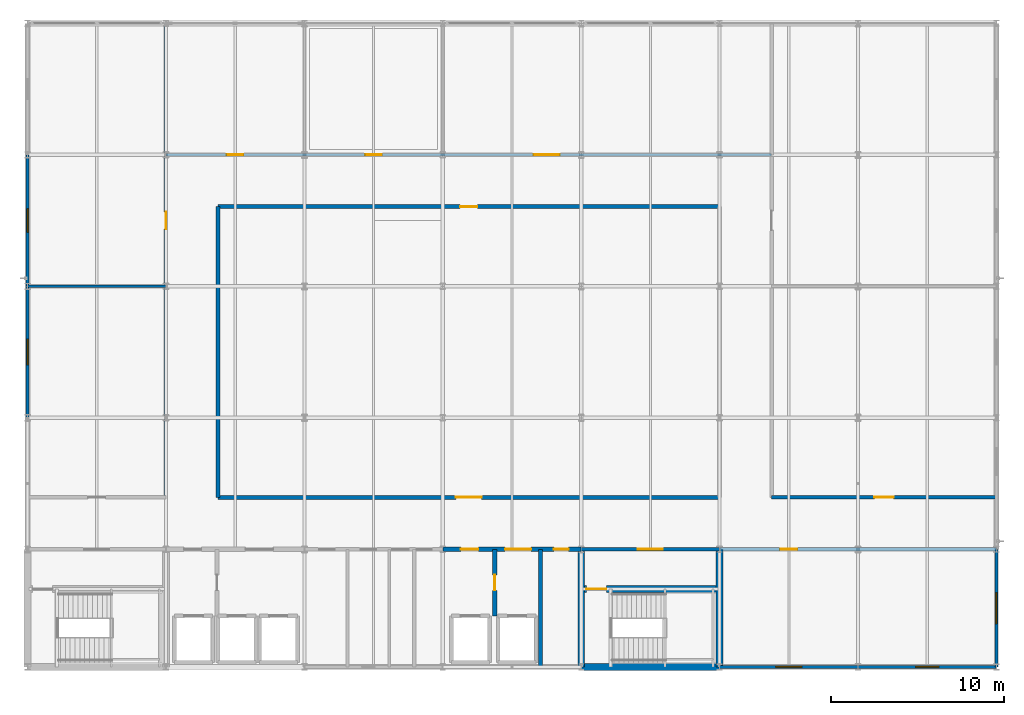
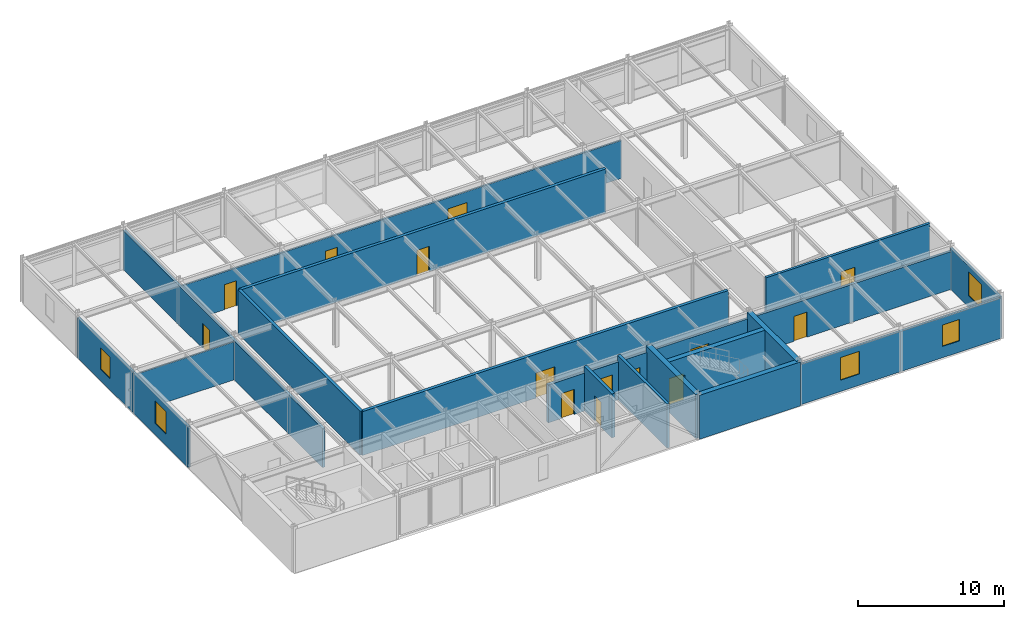
# One storey, part 12 of 15: 21 walls, 14 doors, 5 windows, 19 openings.
"""IFC4 building model written with IfcOpenShell, lengths in metres."""

from ifc_helpers import new_model, si_unit, direction, frame, frame_2d, origin, place, context, subcontext, project, spatial, rectangle, extrude, material, layer, layer_set, type_object, element, fill, save


model = new_model("IFC4")

# Units and contexts
model_context = context("Model", 3, precision=1e-05, world=origin(), true_north=direction((0.0, 1.0)))
body_context = subcontext(model_context, "Body", "Model", "MODEL_VIEW")
ifc_project = project(units=[si_unit("LENGTHUNIT", "METRE"), si_unit("AREAUNIT", "SQUARE_METRE"), si_unit("VOLUMEUNIT", "CUBIC_METRE"), si_unit("PLANEANGLEUNIT", "RADIAN"), si_unit("MASSUNIT", "GRAM", prefix="KILO")], contexts=[model_context])

# Site, building, storey
site_placement = place(None, origin())
site = spatial("IfcSite", under=ifc_project, at=site_placement, CompositionType="ELEMENT")
building_placement = place(site_placement, origin())
building = spatial("IfcBuilding", under=site, at=building_placement, Name="Shalkamar Park Central Library", CompositionType="ELEMENT")
storey_placement = place(building_placement, frame((0.0, 0.0, 39.89990234375)))
storey = spatial("IfcBuildingStorey", under=building, at=storey_placement, Name="L10", CompositionType="ELEMENT", Elevation=39.89990234375)

# Wall, openings, doors
ifc_material_1 = material(Name="Acoustic insulated reading partition", Category="masonry")
ifc_layer_1 = layer(ifc_material_1, 0.139892578125)
ifc_layer_set_1 = layer_set([ifc_layer_1], Name="AcousticPartition_140")
wall_type_1 = type_object("IfcWallType", Name="Acoustic Partition 140", PredefinedType="PARTITIONING", material=ifc_layer_set_1)
wall_1_placement = place(storey_placement, frame((173.0, 278.0, 0.0), z_axis=(0.0, 0.0, 1.0), x_axis=(1.0, 0.0, 0.0)))
wall_1 = element("IfcWall", 1, at=wall_1_placement, inside=storey, type_object=wall_type_1, Name="Interior Partition WL-INT-L10-018", PredefinedType="PARTITIONING", context=body_context, shape_type="SweptSolid", body=[
    extrude(rectangle(XDim=35.0, YDim=0.139892578125, at=frame_2d((17.5, 0.0))), origin(), (0.0, 0.0, 1.0), 3.177978515625),
])
opening_1_placement = place(wall_1_placement, frame((3.52490234375, 0.0, 0.0)))
opening_1 = element("IfcOpeningElement", 2, at=opening_1_placement, cuts=wall_1, Name="Opening DR-L10-017", PredefinedType="OPENING", context=body_context, shape_type="SweptSolid", body=[
    extrude(rectangle(XDim=0.949951171875, YDim=2.10009765625, at=frame_2d((0.47509765625, 1.050048828125))), frame((0.0, 0.0849609375, 0.0), z_axis=(0.0, -1.0, 0.0), x_axis=(1.0, 0.0, 0.0)), (0.0, 0.0, 1.0), 0.169677734375),
])
opening_2_placement = place(wall_1_placement, frame((11.52490234375, 0.0, 0.0)))
opening_2 = element("IfcOpeningElement", 3, at=opening_2_placement, cuts=wall_1, Name="Opening DR-L10-018", PredefinedType="OPENING", context=body_context, shape_type="SweptSolid", body=[
    extrude(rectangle(XDim=0.949951171875, YDim=2.10009765625, at=frame_2d((0.47509765625, 1.050048828125))), frame((0.0, 0.0849609375, 0.0), z_axis=(0.0, -1.0, 0.0), x_axis=(1.0, 0.0, 0.0)), (0.0, 0.0, 1.0), 0.169677734375),
])
opening_3_placement = place(wall_1_placement, frame((21.25, 0.0, 0.0)))
opening_3 = element("IfcOpeningElement", 4, at=opening_3_placement, cuts=wall_1, Name="Opening DR-L10-019", PredefinedType="OPENING", context=body_context, shape_type="SweptSolid", body=[
    extrude(rectangle(XDim=1.5, YDim=2.25, at=frame_2d((0.75, 1.125))), frame((0.0, 0.0849609375, 0.0), z_axis=(0.0, -1.0, 0.0), x_axis=(1.0, 0.0, 0.0)), (0.0, 0.0, 1.0), 0.169677734375),
])
ifc_material_2 = material(Name="Steel S355", Category="steel")
door_type_1 = type_object("IfcDoorType", Name="Interior Door Double 1500x2250", OperationType="DOUBLE_DOOR_SINGLE_SWING", PredefinedType="DOOR", material=ifc_material_2)
door_1_placement = place(opening_3_placement, origin())
door_1 = element("IfcDoor", 5, at=door_1_placement, inside=storey, type_object=door_type_1, Name="L10 Digital Reading Room Door", OperationType="DOUBLE_DOOR_SINGLE_SWING", OverallHeight=2.25, OverallWidth=1.5, PredefinedType="DOOR", context=body_context, shape_type="SweptSolid", body=[
    extrude(rectangle(XDim=1.5, YDim=2.25, at=frame_2d((0.75, 1.125))), frame((0.0, 0.02490234375, 0.0), z_axis=(0.0, -1.0, 0.0), x_axis=(1.0, 0.0, 0.0)), (0.0, 0.0, 1.0), 0.050048828125),
])
fill(opening_3, door_1)
door_type_2 = type_object("IfcDoorType", Name="Interior Door Single 950x2100", OperationType="NOTDEFINED", PredefinedType="DOOR", material=ifc_material_2)
door_2_placement = place(opening_1_placement, origin())
door_2 = element("IfcDoor", 6, at=door_2_placement, inside=storey, type_object=door_type_2, Name="L10 Study Carrel 1 Door", OperationType="SINGLE_SWING_LEFT", OverallHeight=2.10009765625, OverallWidth=0.949951171875, PredefinedType="DOOR", context=body_context, shape_type="SweptSolid", body=[
    extrude(rectangle(XDim=0.949951171875, YDim=2.10009765625, at=frame_2d((0.47509765625, 1.050048828125))), frame((0.0, 0.02490234375, 0.0), z_axis=(0.0, -1.0, 0.0), x_axis=(1.0, 0.0, 0.0)), (0.0, 0.0, 1.0), 0.050048828125),
])
fill(opening_1, door_2)
door_3_placement = place(opening_2_placement, origin())
door_3 = element("IfcDoor", 7, at=door_3_placement, inside=storey, type_object=door_type_2, Name="L10 Study Carrel 2 Door", OperationType="SINGLE_SWING_LEFT", OverallHeight=2.10009765625, OverallWidth=0.949951171875, PredefinedType="DOOR", context=body_context, shape_type="SweptSolid", body=[
    extrude(rectangle(XDim=0.949951171875, YDim=2.10009765625, at=frame_2d((0.47509765625, 1.050048828125))), frame((0.0, 0.02490234375, 0.0), z_axis=(0.0, -1.0, 0.0), x_axis=(1.0, 0.0, 0.0)), (0.0, 0.0, 1.0), 0.050048828125),
])
fill(opening_2, door_3)

# Wall, opening, door
ifc_material_3 = material(Name="Reinforced fire-compartment masonry wall", Category="masonry")
ifc_layer_2 = layer(ifc_material_3, 0.239990234375)
ifc_layer_set_2 = layer_set([ifc_layer_2], Name="CompartmentWall_240")
wall_type_2 = type_object("IfcWallType", Name="Compartment Wall 240", PredefinedType="PARTITIONING", material=ifc_layer_set_2)
wall_2_placement = place(storey_placement, frame((192.0, 251.35009765625, 0.0), z_axis=(0.0, 0.0, 1.0), x_axis=(0.0, 1.0, 0.0)))
wall_2 = element("IfcWall", 8, at=wall_2_placement, inside=storey, type_object=wall_type_2, Name="Interior Partition WL-INT-L10-002", PredefinedType="PARTITIONING", context=body_context, shape_type="SweptSolid", body=[
    extrude(rectangle(XDim=3.849853515625, YDim=0.239990234375, at=frame_2d((1.9248046875, 0.0))), origin(), (0.0, 0.0, 1.0), 3.68017578125),
])
opening_4_placement = place(wall_2_placement, frame((1.47509765625, 0.0, 0.0)))
opening_4 = element("IfcOpeningElement", 9, at=opening_4_placement, cuts=wall_2, Name="Opening DR-L10-002", PredefinedType="OPENING", context=body_context, shape_type="SweptSolid", body=[
    extrude(rectangle(XDim=0.89990234375, YDim=2.10009765625, at=frame_2d((0.449951171875, 1.050048828125))), frame((0.0, 0.134765625, 0.0), z_axis=(0.0, -1.0, 0.0), x_axis=(1.0, 0.0, 0.0)), (0.0, 0.0, 1.0), 0.269775390625),
])
door_type_3 = type_object("IfcDoorType", Name="Fire Door Single 900x2100", OperationType="NOTDEFINED", PredefinedType="DOOR", material=ifc_material_2)
door_4_placement = place(opening_4_placement, frame((0.89990234375, 0.0, 0.0), z_axis=(0.0, 0.0, 1.0), x_axis=(-1.0, 0.0, 0.0)))
door_4 = element("IfcDoor", 10, at=door_4_placement, inside=storey, type_object=door_type_3, Name="Fire Lobby Interconnect Door", OperationType="SINGLE_SWING_LEFT", OverallHeight=2.10009765625, OverallWidth=0.89990234375, PredefinedType="DOOR", context=body_context, shape_type="SweptSolid", body=[
    extrude(rectangle(XDim=0.89990234375, YDim=2.10009765625, at=frame_2d((0.449951171875, 1.050048828125))), frame((0.0, 0.02490234375, 0.0), z_axis=(0.0, -1.0, 0.0), x_axis=(1.0, 0.0, 0.0)), (0.0, 0.0, 1.0), 0.050048828125),
])
fill(opening_4, door_4)

# Wall, openings, doors
wall_3_placement = place(storey_placement, frame((189.0, 255.199951171875, 0.0), z_axis=(0.0, 0.0, 1.0), x_axis=(1.0, 0.0, 0.0)))
wall_3 = element("IfcWall", 11, at=wall_3_placement, inside=storey, type_object=wall_type_2, Name="Interior Partition WL-INT-L10-009", PredefinedType="PARTITIONING", context=body_context, shape_type="SweptSolid", body=[
    extrude(rectangle(XDim=8.0, YDim=0.239990234375, at=frame_2d((4.0, 0.0))), origin(), (0.0, 0.0, 1.0), 3.177978515625),
])
opening_5_placement = place(wall_3_placement, frame((1.050048828125, 0.0, 0.0)))
opening_5 = element("IfcOpeningElement", 12, at=opening_5_placement, cuts=wall_3, Name="Opening DR-L10-009", PredefinedType="OPENING", context=body_context, shape_type="SweptSolid", body=[
    extrude(rectangle(XDim=1.0, YDim=2.10009765625, at=frame_2d((0.5, 1.050048828125))), frame((0.0, 0.134765625, 0.0), z_axis=(0.0, -1.0, 0.0), x_axis=(1.0, 0.0, 0.0)), (0.0, 0.0, 1.0), 0.269775390625),
])
opening_6_placement = place(wall_3_placement, frame((3.60009765625, 0.0, 0.0)))
opening_6 = element("IfcOpeningElement", 13, at=opening_6_placement, cuts=wall_3, Name="Opening DR-L10-010", PredefinedType="OPENING", context=body_context, shape_type="SweptSolid", body=[
    extrude(rectangle(XDim=1.5, YDim=2.25, at=frame_2d((0.75, 1.125))), frame((0.0, 0.134765625, 0.0), z_axis=(0.0, -1.0, 0.0), x_axis=(1.0, 0.0, 0.0)), (0.0, 0.0, 1.0), 0.269775390625),
])
opening_7_placement = place(wall_3_placement, frame((6.425048828125, 0.0, 0.0)))
opening_7 = element("IfcOpeningElement", 14, at=opening_7_placement, cuts=wall_3, Name="Opening DR-L10-011", PredefinedType="OPENING", context=body_context, shape_type="SweptSolid", body=[
    extrude(rectangle(XDim=0.85009765625, YDim=2.10009765625, at=frame_2d((0.425048828125, 1.050048828125))), frame((0.0, 0.134765625, 0.0), z_axis=(0.0, -1.0, 0.0), x_axis=(1.0, 0.0, 0.0)), (0.0, 0.0, 1.0), 0.269775390625),
])
door_type_4 = type_object("IfcDoorType", Name="Fire Door Riser 850x2100", OperationType="NOTDEFINED", PredefinedType="DOOR", material=ifc_material_2)
door_5_placement = place(opening_7_placement, frame((0.85009765625, 0.0, 0.0), z_axis=(0.0, 0.0, 1.0), x_axis=(-1.0, 0.0, 0.0)))
door_5 = element("IfcDoor", 15, at=door_5_placement, inside=storey, type_object=door_type_4, Name="Mechanical Riser Access Door", OperationType="SINGLE_SWING_LEFT", OverallHeight=2.10009765625, OverallWidth=0.85009765625, PredefinedType="DOOR", context=body_context, shape_type="SweptSolid", body=[
    extrude(rectangle(XDim=0.85009765625, YDim=2.10009765625, at=frame_2d((0.425048828125, 1.050048828125))), frame((0.0, 0.02490234375, 0.0), z_axis=(0.0, -1.0, 0.0), x_axis=(1.0, 0.0, 0.0)), (0.0, 0.0, 1.0), 0.050048828125),
])
fill(opening_7, door_5)
door_type_5 = type_object("IfcDoorType", Name="Fire Door Single 1000x2100", OperationType="NOTDEFINED", PredefinedType="DOOR", material=ifc_material_2)
door_6_placement = place(opening_5_placement, origin())
door_6 = element("IfcDoor", 16, at=door_6_placement, inside=storey, type_object=door_type_5, Name="East Firefighting Lobby Door", OperationType="SINGLE_SWING_LEFT", OverallHeight=2.10009765625, OverallWidth=1.0, PredefinedType="DOOR", context=body_context, shape_type="SweptSolid", body=[
    extrude(rectangle(XDim=1.0, YDim=2.10009765625, at=frame_2d((0.5, 1.050048828125))), frame((0.0, 0.02490234375, 0.0), z_axis=(0.0, -1.0, 0.0), x_axis=(1.0, 0.0, 0.0)), (0.0, 0.0, 1.0), 0.050048828125),
])
fill(opening_5, door_6)
door_7_placement = place(opening_6_placement, origin())
door_7 = element("IfcDoor", 17, at=door_7_placement, inside=storey, type_object=door_type_1, Name="East Lift Lobby Entrance", OperationType="DOUBLE_DOOR_SINGLE_SWING", OverallHeight=2.25, OverallWidth=1.5, PredefinedType="DOOR", context=body_context, shape_type="SweptSolid", body=[
    extrude(rectangle(XDim=1.5, YDim=2.25, at=frame_2d((0.75, 1.125))), frame((0.0, 0.02490234375, 0.0), z_axis=(0.0, -1.0, 0.0), x_axis=(1.0, 0.0, 0.0)), (0.0, 0.0, 1.0), 0.050048828125),
])
fill(opening_6, door_7)

# Wall, opening, door
wall_4_placement = place(storey_placement, frame((176.0, 258.199951171875, 0.0), z_axis=(0.0, 0.0, 1.0), x_axis=(1.0, 0.0, 0.0)))
wall_4 = element("IfcWall", 18, at=wall_4_placement, inside=storey, type_object=wall_type_2, Name="Interior Partition WL-INT-L10-011", PredefinedType="PARTITIONING", context=body_context, shape_type="SweptSolid", body=[
    extrude(rectangle(XDim=29.0, YDim=0.239990234375, at=frame_2d((14.5, 0.0))), origin(), (0.0, 0.0, 1.0), 3.68017578125),
])
opening_8_placement = place(wall_4_placement, frame((13.75, 0.0, 0.0)))
opening_8 = element("IfcOpeningElement", 19, at=opening_8_placement, cuts=wall_4, Name="Opening DR-L10-013", PredefinedType="OPENING", context=body_context, shape_type="SweptSolid", body=[
    extrude(rectangle(XDim=1.5, YDim=2.10009765625, at=frame_2d((0.75, 1.050048828125))), frame((0.0, 0.134765625, 0.0), z_axis=(0.0, -1.0, 0.0), x_axis=(1.0, 0.0, 0.0)), (0.0, 0.0, 1.0), 0.269775390625),
])
door_type_6 = type_object("IfcDoorType", Name="Fire Door Double 1500x2100", OperationType="DOUBLE_DOOR_SINGLE_SWING", PredefinedType="DOOR", material=ifc_material_2)
door_8_placement = place(opening_8_placement, origin())
door_8 = element("IfcDoor", 20, at=door_8_placement, inside=storey, type_object=door_type_6, Name="L10 Island Closed Stacks South Door", OperationType="DOUBLE_DOOR_SINGLE_SWING", OverallHeight=2.10009765625, OverallWidth=1.5, PredefinedType="DOOR", context=body_context, shape_type="SweptSolid", body=[
    extrude(rectangle(XDim=1.5, YDim=2.10009765625, at=frame_2d((0.75, 1.050048828125))), frame((0.0, 0.02490234375, 0.0), z_axis=(0.0, -1.0, 0.0), x_axis=(1.0, 0.0, 0.0)), (0.0, 0.0, 1.0), 0.050048828125),
])
fill(opening_8, door_8)

wall_5_placement = place(storey_placement, frame((176.0, 275.0, 0.0), z_axis=(0.0, 0.0, 1.0), x_axis=(1.0, 0.0, 0.0)))
wall_5 = element("IfcWall", 21, at=wall_5_placement, inside=storey, type_object=wall_type_2, Name="Interior Partition WL-INT-L10-012", PredefinedType="PARTITIONING", context=body_context, shape_type="SweptSolid", body=[
    extrude(rectangle(XDim=29.0, YDim=0.239990234375, at=frame_2d((14.5, 0.0))), origin(), (0.0, 0.0, 1.0), 3.68017578125),
])
opening_9_placement = place(wall_5_placement, frame((14.0, 0.0, 0.0)))
opening_9 = element("IfcOpeningElement", 22, at=opening_9_placement, cuts=wall_5, Name="Opening DR-L10-014", PredefinedType="OPENING", context=body_context, shape_type="SweptSolid", body=[
    extrude(rectangle(XDim=1.0, YDim=2.10009765625, at=frame_2d((0.5, 1.050048828125))), frame((0.0, 0.134765625, 0.0), z_axis=(0.0, -1.0, 0.0), x_axis=(1.0, 0.0, 0.0)), (0.0, 0.0, 1.0), 0.269775390625),
])
door_9_placement = place(opening_9_placement, frame((1.0, 0.0, 0.0), z_axis=(0.0, 0.0, 1.0), x_axis=(-1.0, 0.0, 0.0)))
door_9 = element("IfcDoor", 23, at=door_9_placement, inside=storey, type_object=door_type_5, Name="L10 Island Closed Stacks North Door", OperationType="SINGLE_SWING_RIGHT", OverallHeight=2.10009765625, OverallWidth=1.0, PredefinedType="DOOR", context=body_context, shape_type="SweptSolid", body=[
    extrude(rectangle(XDim=1.0, YDim=2.10009765625, at=frame_2d((0.5, 1.050048828125))), frame((0.0, 0.02490234375, 0.0), z_axis=(0.0, -1.0, 0.0), x_axis=(1.0, 0.0, 0.0)), (0.0, 0.0, 1.0), 0.050048828125),
])
fill(opening_9, door_9)

# Wall
wall_6_placement = place(storey_placement, frame((176.0, 258.199951171875, 0.0), z_axis=(0.0, 0.0, 1.0), x_axis=(0.0, 1.0, 0.0)))
element("IfcWall", 24, at=wall_6_placement, inside=storey, type_object=wall_type_2, Name="Interior Partition WL-INT-L10-013", PredefinedType="PARTITIONING", context=body_context, shape_type="SweptSolid", body=[
    extrude(rectangle(XDim=16.800048828125, YDim=0.239990234375, at=frame_2d((8.39990234375, 0.0))), origin(), (0.0, 0.0, 1.0), 3.68017578125),
])

# Wall, opening, door
ifc_material_4 = material(Name="Fire-rated corridor partition wall", Category="masonry")
ifc_layer_3 = layer(ifc_material_4, 0.199951171875)
ifc_layer_set_3 = layer_set([ifc_layer_3], Name="CorridorFireWall_200")
wall_type_3 = type_object("IfcWallType", Name="Corridor Fire Wall 200", PredefinedType="PARTITIONING", material=ifc_layer_set_3)
wall_7_placement = place(storey_placement, frame((197.0, 255.199951171875, 0.0), z_axis=(0.0, 0.0, 1.0), x_axis=(1.0, 0.0, 0.0)))
wall_7 = element("IfcWall", 25, at=wall_7_placement, inside=storey, type_object=wall_type_3, Name="CORE-T2 Vestibule North Wall (L10)", PredefinedType="PARTITIONING", context=body_context, shape_type="SweptSolid", body=[
    extrude(rectangle(XDim=8.0, YDim=0.199951171875, at=frame_2d((4.0, 0.0))), origin(), (0.0, 0.0, 1.0), 3.177978515625),
])
opening_10_placement = place(wall_7_placement, frame((3.27490234375, 0.0, 0.0)))
opening_10 = element("IfcOpeningElement", 26, at=opening_10_placement, cuts=wall_7, Name="Opening DR-ST-T2-L10-VEST", PredefinedType="OPENING", context=body_context, shape_type="SweptSolid", body=[
    extrude(rectangle(XDim=1.449951171875, YDim=2.199951171875, at=frame_2d((0.72509765625, 1.10009765625))), frame((0.0, 0.11474609375, 0.0), z_axis=(0.0, -1.0, 0.0), x_axis=(1.0, 0.0, 0.0)), (0.0, 0.0, 1.0), 0.229736328125),
])
door_type_7 = type_object("IfcDoorType", Name="Stair Vestibule Door 1450x2200", OperationType="DOUBLE_DOOR_SINGLE_SWING", PredefinedType="DOOR", material=ifc_material_2)
door_10_placement = place(opening_10_placement, frame((1.449951171875, 0.0, 0.0), z_axis=(0.0, 0.0, 1.0), x_axis=(-1.0, 0.0, 0.0)))
door_10 = element("IfcDoor", 27, at=door_10_placement, inside=storey, type_object=door_type_7, Name="Protected Stair ST-T2 Vestibule Door (L10)", OperationType="DOUBLE_DOOR_SINGLE_SWING", OverallHeight=2.199951171875, OverallWidth=1.449951171875, PredefinedType="DOOR", context=body_context, shape_type="SweptSolid", body=[
    extrude(rectangle(XDim=1.449951171875, YDim=2.199951171875, at=frame_2d((0.72509765625, 1.10009765625))), frame((0.0, 0.02490234375, 0.0), z_axis=(0.0, -1.0, 0.0), x_axis=(1.0, 0.0, 0.0)), (0.0, 0.0, 1.0), 0.050048828125),
])
fill(opening_10, door_10)

wall_8_placement = place(storey_placement, frame((205.0, 255.199951171875, 0.0), z_axis=(0.0, 0.0, 1.0), x_axis=(1.0, 0.0, 0.0)))
wall_8 = element("IfcWall", 28, at=wall_8_placement, inside=storey, type_object=wall_type_3, Name="Interior Partition WL-INT-L10-010", PredefinedType="PARTITIONING", context=body_context, shape_type="SweptSolid", body=[
    extrude(rectangle(XDim=16.0, YDim=0.199951171875, at=frame_2d((8.0, 0.0))), origin(), (0.0, 0.0, 1.0), 3.177978515625),
])
opening_11_placement = place(wall_8_placement, frame((3.5, 0.0, 0.0)))
opening_11 = element("IfcOpeningElement", 29, at=opening_11_placement, cuts=wall_8, Name="Opening DR-L10-012", PredefinedType="OPENING", context=body_context, shape_type="SweptSolid", body=[
    extrude(rectangle(XDim=1.0, YDim=2.10009765625, at=frame_2d((0.5, 1.050048828125))), frame((0.0, 0.11474609375, 0.0), z_axis=(0.0, -1.0, 0.0), x_axis=(1.0, 0.0, 0.0)), (0.0, 0.0, 1.0), 0.229736328125),
])
door_type_8 = type_object("IfcDoorType", Name="Interior Door Single 1000x2100", OperationType="NOTDEFINED", PredefinedType="DOOR", material=ifc_material_2)
door_11_placement = place(opening_11_placement, frame((1.0, 0.0, 0.0), z_axis=(0.0, 0.0, 1.0), x_axis=(-1.0, 0.0, 0.0)))
door_11 = element("IfcDoor", 30, at=door_11_placement, inside=storey, type_object=door_type_8, Name="L10 Microform Office Door", OperationType="SINGLE_SWING_RIGHT", OverallHeight=2.10009765625, OverallWidth=1.0, PredefinedType="DOOR", context=body_context, shape_type="SweptSolid", body=[
    extrude(rectangle(XDim=1.0, YDim=2.10009765625, at=frame_2d((0.5, 1.050048828125))), frame((0.0, 0.02490234375, 0.0), z_axis=(0.0, -1.0, 0.0), x_axis=(1.0, 0.0, 0.0)), (0.0, 0.0, 1.0), 0.050048828125),
])
fill(opening_11, door_11)

wall_9_placement = place(storey_placement, frame((173.0, 258.199951171875, 0.0), z_axis=(0.0, 0.0, 1.0), x_axis=(0.0, 1.0, 0.0)))
wall_9 = element("IfcWall", 31, at=wall_9_placement, inside=storey, type_object=wall_type_3, Name="Interior Partition WL-INT-L10-016", PredefinedType="PARTITIONING", context=body_context, shape_type="SweptSolid", body=[
    extrude(rectangle(XDim=27.400146484375, YDim=0.199951171875, at=frame_2d((13.7001953125, 0.0))), origin(), (0.0, 0.0, 1.0), 3.278076171875),
])
opening_12_placement = place(wall_9_placement, frame((15.5, 0.0, 0.0)))
opening_12 = element("IfcOpeningElement", 32, at=opening_12_placement, cuts=wall_9, Name="Opening DR-L10-016", PredefinedType="OPENING", context=body_context, shape_type="SweptSolid", body=[
    extrude(rectangle(XDim=1.0, YDim=2.10009765625, at=frame_2d((0.5, 1.050048828125))), frame((0.0, 0.11474609375, 0.0), z_axis=(0.0, -1.0, 0.0), x_axis=(1.0, 0.0, 0.0)), (0.0, 0.0, 1.0), 0.229736328125),
])
door_12_placement = place(opening_12_placement, origin())
door_12 = element("IfcDoor", 33, at=door_12_placement, inside=storey, type_object=door_type_8, Name="L10 Microform Lab Door", OperationType="SINGLE_SWING_RIGHT", OverallHeight=2.10009765625, OverallWidth=1.0, PredefinedType="DOOR", context=body_context, shape_type="SweptSolid", body=[
    extrude(rectangle(XDim=1.0, YDim=2.10009765625, at=frame_2d((0.5, 1.050048828125))), frame((0.0, 0.02490234375, 0.0), z_axis=(0.0, -1.0, 0.0), x_axis=(1.0, 0.0, 0.0)), (0.0, 0.0, 1.0), 0.050048828125),
])
fill(opening_12, door_12)

wall_10_placement = place(storey_placement, frame((208.0, 258.199951171875, 0.0), z_axis=(0.0, 0.0, 1.0), x_axis=(1.0, 0.0, 0.0)))
wall_10 = element("IfcWall", 34, at=wall_10_placement, inside=storey, type_object=wall_type_3, Name="Interior Partition WL-INT-L10-022", PredefinedType="PARTITIONING", context=body_context, shape_type="SweptSolid", body=[
    extrude(rectangle(XDim=13.0, YDim=0.199951171875, at=frame_2d((6.5, 0.0))), origin(), (0.0, 0.0, 1.0), 3.68017578125),
])
opening_13_placement = place(wall_10_placement, frame((5.949951171875, 0.0, 0.0)))
opening_13 = element("IfcOpeningElement", 35, at=opening_13_placement, cuts=wall_10, Name="Opening DR-L10-020", PredefinedType="OPENING", context=body_context, shape_type="SweptSolid", body=[
    extrude(rectangle(XDim=1.10009765625, YDim=2.10009765625, at=frame_2d((0.550048828125, 1.050048828125))), frame((0.0, 0.11474609375, 0.0), z_axis=(0.0, -1.0, 0.0), x_axis=(1.0, 0.0, 0.0)), (0.0, 0.0, 1.0), 0.229736328125),
])
door_type_9 = type_object("IfcDoorType", Name="Interior Door Single 1100x2100", OperationType="NOTDEFINED", PredefinedType="DOOR", material=ifc_material_2)
door_13_placement = place(opening_13_placement, origin())
door_13 = element("IfcDoor", 36, at=door_13_placement, inside=storey, type_object=door_type_9, Name="L10 Patent Reading Room South Door", OperationType="SINGLE_SWING_RIGHT", OverallHeight=2.10009765625, OverallWidth=1.10009765625, PredefinedType="DOOR", context=body_context, shape_type="SweptSolid", body=[
    extrude(rectangle(XDim=1.10009765625, YDim=2.10009765625, at=frame_2d((0.550048828125, 1.050048828125))), frame((0.0, 0.02490234375, 0.0), z_axis=(0.0, -1.0, 0.0), x_axis=(1.0, 0.0, 0.0)), (0.0, 0.0, 1.0), 0.050048828125),
])
fill(opening_13, door_13)

# Walls
ifc_material_5 = material(Name="Fire-rated shaft enclosure wall", Category="masonry")
ifc_layer_4 = layer(ifc_material_5, 0.219970703125)
ifc_layer_set_4 = layer_set([ifc_layer_4], Name="ShaftWall_220")
wall_type_4 = type_object("IfcWallType", Name="Shaft Wall 220", PredefinedType="PARTITIONING", material=ifc_layer_set_4)
wall_11_placement = place(storey_placement, frame((194.64990234375, 248.39990234375, 0.0), z_axis=(0.0, 0.0, 1.0), x_axis=(0.0, 1.0, 0.0)))
element("IfcWall", 37, at=wall_11_placement, inside=storey, type_object=wall_type_4, Name="Interior Partition WL-INT-L10-003", PredefinedType="PARTITIONING", context=body_context, shape_type="SweptSolid", body=[
    extrude(rectangle(XDim=6.800048828125, YDim=0.219970703125, at=frame_2d((3.39990234375, 0.0))), origin(), (0.0, 0.0, 1.0), 3.68017578125),
])
ifc_material_6 = material(Name="Lightweight acoustic stud partition", Category="masonry")
ifc_layer_5 = layer(ifc_material_6, 0.1201171875)
ifc_layer_set_5 = layer_set([ifc_layer_5], Name="StandardPartition_120")
wall_type_5 = type_object("IfcWallType", Name="Standard Partition 120", PredefinedType="PARTITIONING", material=ifc_layer_set_5)
wall_12_placement = place(storey_placement, frame((165.0, 270.39990234375, 0.0), z_axis=(0.0, 0.0, 1.0), x_axis=(1.0, 0.0, 0.0)))
element("IfcWall", 38, at=wall_12_placement, inside=storey, type_object=wall_type_5, Name="Interior Partition WL-INT-L10-017", PredefinedType="PARTITIONING", context=body_context, shape_type="SweptSolid", body=[
    extrude(rectangle(XDim=8.0, YDim=0.1201171875, at=frame_2d((4.0, 0.0))), origin(), (0.0, 0.0, 1.0), 3.177978515625),
])
ifc_material_7 = material(Name="Concrete C40/50", Category="concrete")
ifc_layer_6 = layer(ifc_material_7, 0.39990234375)
ifc_layer_set_6 = layer_set([ifc_layer_6], Name="Concrete C40/50")
wall_type_6 = type_object("IfcWallType", Name="Tower Core Shear Wall 400", PredefinedType="SHEAR", material=ifc_layer_set_6)
wall_13_placement = place(storey_placement, frame((197.0, 248.39990234375, 0.0), z_axis=(0.0, 0.0, 1.0), x_axis=(1.0, 0.0, 0.0)))
element("IfcWall", 39, at=wall_13_placement, inside=storey, type_object=wall_type_6, Name="CORE-T2 South Shear Wall (L10)", PredefinedType="SHEAR", context=body_context, shape_type="SweptSolid", body=[
    extrude(rectangle(XDim=8.0, YDim=0.39990234375, at=frame_2d((4.0, 0.0))), origin(), (0.0, 0.0, 1.0), 3.68017578125),
])
for number, where, z_axis, x_axis, name in (
    (40, (197.0, 248.39990234375, 0.0), (0.0, 0.0, 1.0), (0.0, 1.0, 0.0), "CORE-T2 West Shear Wall (L10)"),
    (41, (205.0, 248.39990234375, 0.0), (0.0, 0.0, 1.0), (0.0, 1.0, 0.0), "CORE-T2 East Shear Wall (L10)"),
):
    element("IfcWall", number, at=place(storey_placement, frame(where, z_axis=z_axis, x_axis=x_axis)), inside=storey, type_object=wall_type_6, Name=name, PredefinedType="SHEAR", context=body_context, shape_type="SweptSolid", body=[
        extrude(rectangle(XDim=6.800048828125, YDim=0.39990234375, at=frame_2d((3.39990234375, 0.0))), origin(), (0.0, 0.0, 1.0), 3.68017578125),
    ])

# Wall, opening, door
wall_14_placement = place(storey_placement, frame((197.0, 252.89990234375, 0.0), z_axis=(0.0, 0.0, 1.0), x_axis=(1.0, 0.0, 0.0)))
wall_14 = element("IfcWall", 42, at=wall_14_placement, inside=storey, type_object=wall_type_6, Name="CORE-T2 Stairwell Wall (L10)", PredefinedType="SHEAR", context=body_context, shape_type="SweptSolid", body=[
    extrude(rectangle(XDim=8.0, YDim=0.39990234375, at=frame_2d((4.0, 0.0))), origin(), (0.0, 0.0, 1.0), 3.68017578125),
])
opening_14_placement = place(wall_14_placement, frame((0.300048828125, 0.0, 0.0)))
opening_14 = element("IfcOpeningElement", 43, at=opening_14_placement, cuts=wall_14, Name="Opening DR-ST-T2-L10-IN", PredefinedType="OPENING", context=body_context, shape_type="SweptSolid", body=[
    extrude(rectangle(XDim=1.14990234375, YDim=2.14990234375, at=frame_2d((0.574951171875, 1.074951171875))), frame((0.0, 0.21484375, 0.0), z_axis=(0.0, -1.0, 0.0), x_axis=(1.0, 0.0, 0.0)), (0.0, 0.0, 1.0), 0.4296875),
])
door_type_10 = type_object("IfcDoorType", Name="Stair Core Exit Door 1150x2150", OperationType="NOTDEFINED", PredefinedType="DOOR", material=ifc_material_2)
door_14_placement = place(opening_14_placement, frame((1.14990234375, 0.0, 0.0), z_axis=(0.0, 0.0, 1.0), x_axis=(-1.0, 0.0, 0.0)))
door_14 = element("IfcDoor", 44, at=door_14_placement, inside=storey, type_object=door_type_10, Name="Protected Stair ST-T2 Exit Door (L10)", OperationType="SINGLE_SWING_RIGHT", OverallHeight=2.14990234375, OverallWidth=1.14990234375, PredefinedType="DOOR", context=body_context, shape_type="SweptSolid", body=[
    extrude(rectangle(XDim=1.14990234375, YDim=2.14990234375, at=frame_2d((0.574951171875, 1.074951171875))), frame((0.0, 0.02490234375, 0.0), z_axis=(0.0, -1.0, 0.0), x_axis=(1.0, 0.0, 0.0)), (0.0, 0.0, 1.0), 0.050048828125),
])
fill(opening_14, door_14)

# Wall, opening, window
ifc_material_8 = material(Name="Terracotta insulated wall panel", Category="masonry")
ifc_layer_7 = layer(ifc_material_8, 0.179931640625)
ifc_layer_set_7 = layer_set([ifc_layer_7], Name="TowerSpandrelWall_180")
wall_type_7 = type_object("IfcWallType", Name="Tower Spandrel Wall 180", PredefinedType="SOLIDWALL", material=ifc_layer_set_7)
wall_15_placement = place(storey_placement, frame((205.006103515625, 248.39990234375, 0.0), z_axis=(0.0, 0.0, 1.0), x_axis=(1.0, 0.0, 0.0)))
wall_15 = element("IfcWall", 45, at=wall_15_placement, inside=storey, type_object=wall_type_7, Name="Exterior Facade Wall WL-EXT-L10-201", PredefinedType="SOLIDWALL", context=body_context, shape_type="SweptSolid", body=[
    extrude(rectangle(XDim=7.98779296875, YDim=0.179931640625, at=frame_2d((3.993896484375, 0.0))), origin(), (0.0, 0.0, 1.0), 3.3681640625),
])
opening_15_placement = place(wall_15_placement, frame((3.243896484375, 0.0, 0.949951171875)))
opening_15 = element("IfcOpeningElement", 46, at=opening_15_placement, cuts=wall_15, Name="Opening WN-14", PredefinedType="OPENING", context=body_context, shape_type="SweptSolid", body=[
    extrude(rectangle(XDim=1.5, YDim=1.89990234375, at=frame_2d((0.75, 0.949951171875))), frame((0.0, 0.10498046875, 0.0), z_axis=(0.0, -1.0, 0.0), x_axis=(1.0, 0.0, 0.0)), (0.0, 0.0, 1.0), 0.209716796875),
])
ifc_material_9 = material(Name="Thermally broken aluminium and triple low-e glass", Category="glass")
window_type_1 = type_object("IfcWindowType", Name="Tower Window 1500x1900", PartitioningType="SINGLE_PANEL", PredefinedType="WINDOW", material=ifc_material_9)
window_1_placement = place(opening_15_placement, origin())
window_1 = element("IfcWindow", 47, at=window_1_placement, inside=storey, type_object=window_type_1, Name="Facade Window WN-L10-143", OverallHeight=1.89990234375, OverallWidth=1.5, PartitioningType="SINGLE_PANEL", PredefinedType="WINDOW", context=body_context, shape_type="SweptSolid", body=[
    extrude(rectangle(XDim=1.5, YDim=1.89990234375, at=frame_2d((0.75, 0.949951171875))), frame((0.0, 0.030029296875, 0.0), z_axis=(0.0, -1.0, 0.0), x_axis=(1.0, 0.0, 0.0)), (0.0, 0.0, 1.0), 0.06005859375),
])
fill(opening_15, window_1)

wall_16_placement = place(storey_placement, frame((213.006103515625, 248.39990234375, 0.0), z_axis=(0.0, 0.0, 1.0), x_axis=(1.0, 0.0, 0.0)))
wall_16 = element("IfcWall", 48, at=wall_16_placement, inside=storey, type_object=wall_type_7, Name="Exterior Facade Wall WL-EXT-L10-202", PredefinedType="SOLIDWALL", context=body_context, shape_type="SweptSolid", body=[
    extrude(rectangle(XDim=7.98779296875, YDim=0.179931640625, at=frame_2d((3.993896484375, 0.0))), origin(), (0.0, 0.0, 1.0), 3.3681640625),
])
opening_16_placement = place(wall_16_placement, frame((3.319091796875, 0.0, 0.949951171875)))
opening_16 = element("IfcOpeningElement", 49, at=opening_16_placement, cuts=wall_16, Name="Opening WN-15", PredefinedType="OPENING", context=body_context, shape_type="SweptSolid", body=[
    extrude(rectangle(XDim=1.35009765625, YDim=1.800048828125, at=frame_2d((0.675048828125, 0.89990234375))), frame((0.0, 0.10498046875, 0.0), z_axis=(0.0, -1.0, 0.0), x_axis=(1.0, 0.0, 0.0)), (0.0, 0.0, 1.0), 0.209716796875),
])
window_type_2 = type_object("IfcWindowType", Name="Tower Window 1350x1800", PartitioningType="SINGLE_PANEL", PredefinedType="WINDOW", material=ifc_material_9)
window_2_placement = place(opening_16_placement, origin())
window_2 = element("IfcWindow", 50, at=window_2_placement, inside=storey, type_object=window_type_2, Name="Facade Window WN-L10-144", OverallHeight=1.800048828125, OverallWidth=1.35009765625, PartitioningType="SINGLE_PANEL", PredefinedType="WINDOW", context=body_context, shape_type="SweptSolid", body=[
    extrude(rectangle(XDim=1.35009765625, YDim=1.800048828125, at=frame_2d((0.675048828125, 0.89990234375))), frame((0.0, 0.030029296875, 0.0), z_axis=(0.0, -1.0, 0.0), x_axis=(1.0, 0.0, 0.0)), (0.0, 0.0, 1.0), 0.06005859375),
])
fill(opening_16, window_2)

wall_17_placement = place(storey_placement, frame((165.0, 262.805908203125, 0.0), z_axis=(0.0, 0.0, 1.0), x_axis=(0.0, 1.0, 0.0)))
wall_17 = element("IfcWall", 51, at=wall_17_placement, inside=storey, type_object=wall_type_7, Name="Exterior Facade Wall WL-EXT-L10-204", PredefinedType="SOLIDWALL", context=body_context, shape_type="SweptSolid", body=[
    extrude(rectangle(XDim=7.588134765625, YDim=0.179931640625, at=frame_2d((3.7939453125, 0.0))), origin(), (0.0, 0.0, 1.0), 3.408203125),
])
opening_17_placement = place(wall_17_placement, frame((3.0439453125, 0.0, 0.949951171875)))
opening_17 = element("IfcOpeningElement", 52, at=opening_17_placement, cuts=wall_17, Name="Opening WN-14", PredefinedType="OPENING", context=body_context, shape_type="SweptSolid", body=[
    extrude(rectangle(XDim=1.5, YDim=1.89990234375, at=frame_2d((0.75, 0.949951171875))), frame((0.0, 0.10498046875, 0.0), z_axis=(0.0, -1.0, 0.0), x_axis=(1.0, 0.0, 0.0)), (0.0, 0.0, 1.0), 0.209716796875),
])
window_3_placement = place(opening_17_placement, origin())
window_3 = element("IfcWindow", 53, at=window_3_placement, inside=storey, type_object=window_type_1, Name="Facade Window WN-L10-145", OverallHeight=1.89990234375, OverallWidth=1.5, PartitioningType="SINGLE_PANEL", PredefinedType="WINDOW", context=body_context, shape_type="SweptSolid", body=[
    extrude(rectangle(XDim=1.5, YDim=1.89990234375, at=frame_2d((0.75, 0.949951171875))), frame((0.0, 0.030029296875, 0.0), z_axis=(0.0, -1.0, 0.0), x_axis=(1.0, 0.0, 0.0)), (0.0, 0.0, 1.0), 0.06005859375),
])
fill(opening_17, window_3)

wall_18_placement = place(storey_placement, frame((165.0, 270.406005859375, 0.0), z_axis=(0.0, 0.0, 1.0), x_axis=(0.0, 1.0, 0.0)))
wall_18 = element("IfcWall", 54, at=wall_18_placement, inside=storey, type_object=wall_type_7, Name="Exterior Facade Wall WL-EXT-L10-205", PredefinedType="SOLIDWALL", context=body_context, shape_type="SweptSolid", body=[
    extrude(rectangle(XDim=7.587890625, YDim=0.179931640625, at=frame_2d((3.7939453125, 0.0))), origin(), (0.0, 0.0, 1.0), 3.408203125),
])
opening_18_placement = place(wall_18_placement, frame((3.118896484375, 0.0, 0.949951171875)))
opening_18 = element("IfcOpeningElement", 55, at=opening_18_placement, cuts=wall_18, Name="Opening WN-15", PredefinedType="OPENING", context=body_context, shape_type="SweptSolid", body=[
    extrude(rectangle(XDim=1.35009765625, YDim=1.800048828125, at=frame_2d((0.675048828125, 0.89990234375))), frame((0.0, 0.10498046875, 0.0), z_axis=(0.0, -1.0, 0.0), x_axis=(1.0, 0.0, 0.0)), (0.0, 0.0, 1.0), 0.209716796875),
])
window_4_placement = place(opening_18_placement, origin())
window_4 = element("IfcWindow", 56, at=window_4_placement, inside=storey, type_object=window_type_2, Name="Facade Window WN-L10-146", OverallHeight=1.800048828125, OverallWidth=1.35009765625, PartitioningType="SINGLE_PANEL", PredefinedType="WINDOW", context=body_context, shape_type="SweptSolid", body=[
    extrude(rectangle(XDim=1.35009765625, YDim=1.800048828125, at=frame_2d((0.675048828125, 0.89990234375))), frame((0.0, 0.030029296875, 0.0), z_axis=(0.0, -1.0, 0.0), x_axis=(1.0, 0.0, 0.0)), (0.0, 0.0, 1.0), 0.06005859375),
])
fill(opening_18, window_4)

wall_19_placement = place(storey_placement, frame((221.0, 248.406005859375, 0.0), z_axis=(0.0, 0.0, 1.0), x_axis=(0.0, 1.0, 0.0)))
wall_19 = element("IfcWall", 57, at=wall_19_placement, inside=storey, type_object=wall_type_7, Name="Exterior Facade Wall WL-EXT-L10-207", PredefinedType="SOLIDWALL", context=body_context, shape_type="SweptSolid", body=[
    extrude(rectangle(XDim=6.7880859375, YDim=0.179931640625, at=frame_2d((3.39404296875, 0.0))), origin(), (0.0, 0.0, 1.0), 3.447998046875),
])
opening_19_placement = place(wall_19_placement, frame((2.493896484375, 0.0, 0.949951171875)))
opening_19 = element("IfcOpeningElement", 58, at=opening_19_placement, cuts=wall_19, Name="Opening WN-12", PredefinedType="OPENING", context=body_context, shape_type="SweptSolid", body=[
    extrude(rectangle(XDim=1.800048828125, YDim=2.0, at=frame_2d((0.89990234375, 1.0))), frame((0.0, 0.10498046875, 0.0), z_axis=(0.0, -1.0, 0.0), x_axis=(1.0, 0.0, 0.0)), (0.0, 0.0, 1.0), 0.209716796875),
])
window_type_3 = type_object("IfcWindowType", Name="Tower Window 1800x2000", PartitioningType="DOUBLE_PANEL_VERTICAL", PredefinedType="WINDOW", material=ifc_material_9)
window_5_placement = place(opening_19_placement, origin())
window_5 = element("IfcWindow", 59, at=window_5_placement, inside=storey, type_object=window_type_3, Name="Facade Window WN-L10-148", OverallHeight=2.0, OverallWidth=1.800048828125, PartitioningType="DOUBLE_PANEL_VERTICAL", PredefinedType="WINDOW", context=body_context, shape_type="SweptSolid", body=[
    extrude(rectangle(XDim=1.800048828125, YDim=2.0, at=frame_2d((0.89990234375, 1.0))), frame((0.0, 0.030029296875, 0.0), z_axis=(0.0, -1.0, 0.0), x_axis=(1.0, 0.0, 0.0)), (0.0, 0.0, 1.0), 0.06005859375),
])
fill(opening_19, window_5)

save(model, "model.ifc")
